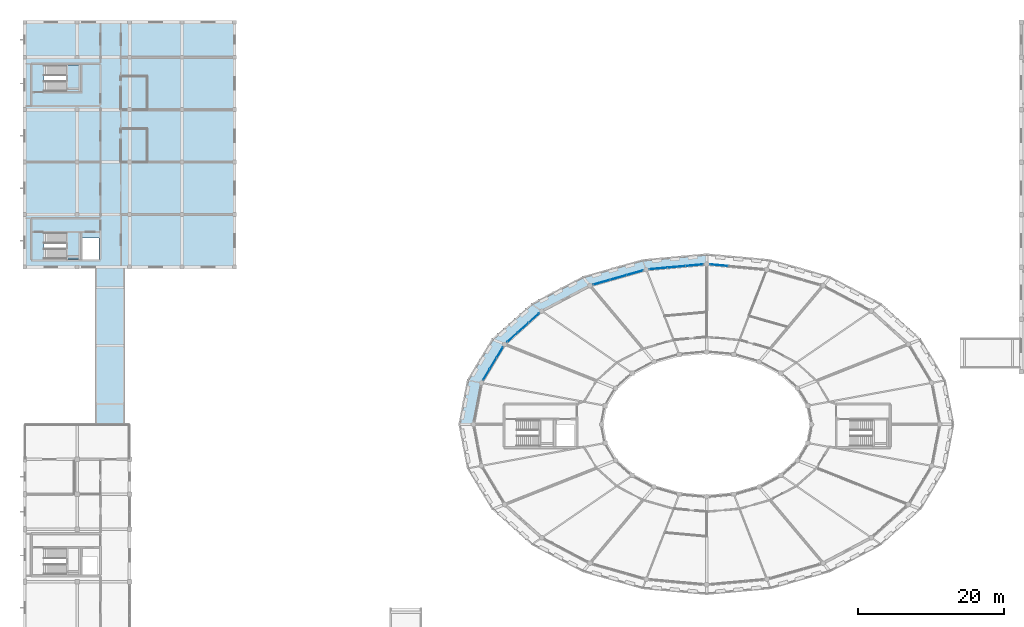
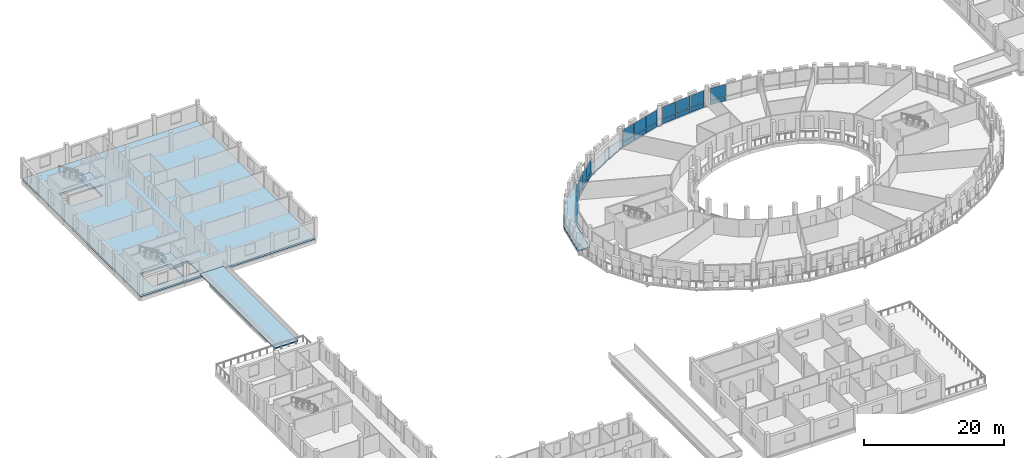
# One storey, part 66 of 93: 26 plates, 5 slabs, 7 elements without a shape of their own.
"""IFC4 building model written with IfcOpenShell, lengths in metres."""

from ifc_helpers import new_model, si_unit, direction, frame, origin, origin_2d, place, context, subcontext, project, spatial, polyline, rectangle, outline, extrude, material, layer, layer_set, type_object, element, aggregate, save


model = new_model("IFC4")

# Units and contexts
model_context = context("Model", 3, precision=1e-05, world=origin(), true_north=direction((0.0, 1.0)))
body_context = subcontext(model_context, "Body", "Model", "MODEL_VIEW")
ifc_project = project(units=[si_unit("LENGTHUNIT", "METRE"), si_unit("AREAUNIT", "SQUARE_METRE"), si_unit("VOLUMEUNIT", "CUBIC_METRE"), si_unit("PLANEANGLEUNIT", "RADIAN"), si_unit("MASSUNIT", "GRAM", prefix="KILO")], contexts=[model_context])

# Site, building, storey
site_placement = place(None, origin())
site = spatial("IfcSite", under=ifc_project, at=site_placement, CompositionType="ELEMENT")
building_placement = place(site_placement, origin())
building = spatial("IfcBuilding", under=site, at=building_placement, Name="Zornivar Specialist Clinic", CompositionType="ELEMENT")
storey_placement = place(building_placement, frame((0.0, 0.0, 8.39990234375)))
storey = spatial("IfcBuildingStorey", under=building, at=storey_placement, Name="L02", CompositionType="ELEMENT", Elevation=8.39990234375)

# Curtain wall, plates
ifc_material_1 = material(Name="Aluminium and Low-E Glass Curtain Wall", Category="aluminium")
curtain_wall_type = type_object("IfcCurtainWallType", Name="CW-DRUM-FACET", PredefinedType="NOTDEFINED", material=ifc_material_1)
curtain_wall_1_placement = place(storey_placement, origin())
curtain_wall_1 = element("IfcCurtainWall", 1, at=curtain_wall_1_placement, inside=storey, type_object=curtain_wall_type, Name="cw:V1:L02:c10", PredefinedType="NOTDEFINED")
ifc_material_2 = material(Name="Insulated Bronze Spandrel Panel")
ifc_layer_1 = layer(ifc_material_2, 0.048095703125)
ifc_layer_set_1 = layer_set([ifc_layer_1], Name="Insulated Bronze Spandrel Panel")
plate_type_1 = type_object("IfcPlateType", Name="CWP-SPN-A", PredefinedType="CURTAIN_PANEL", material=ifc_layer_set_1)
plate_1_placement = place(storey_placement, frame((65.18896484375, 67.44091796875, 0.02978515625), z_axis=(0.0, 0.0, 1.0), x_axis=(-0.516127401954, -0.856511824175, 0.0)))
plate_1 = element("IfcPlate", 2, at=plate_1_placement, type_object=plate_type_1, Name="cw:V1:L02:c10:spn:0", PredefinedType="CURTAIN_PANEL", context=body_context, shape_type="SweptSolid", body=[
    extrude(rectangle(XDim=1.675048828125, YDim=0.048095703125, at=origin_2d()), origin(), (0.0, 0.0, 1.0), 0.722900390625),
])
plate_2_placement = place(storey_placement, frame((64.2890625, 65.947021484375, 0.02978515625), z_axis=(0.0, 0.0, 1.0), x_axis=(-0.516127401954, -0.856511824175, 0.0)))
plate_2 = element("IfcPlate", 3, at=plate_2_placement, type_object=plate_type_1, Name="cw:V1:L02:c10:spn:1", PredefinedType="CURTAIN_PANEL", context=body_context, shape_type="SweptSolid", body=[
    extrude(rectangle(XDim=1.675048828125, YDim=0.048095703125, at=origin_2d()), origin(), (0.0, 0.0, 1.0), 0.722900390625),
])
plate_3_placement = place(storey_placement, frame((63.387939453125, 64.451904296875, 0.02978515625), z_axis=(0.0, 0.0, 1.0), x_axis=(-0.516127401954, -0.856511824175, 0.0)))
plate_3 = element("IfcPlate", 4, at=plate_3_placement, type_object=plate_type_1, Name="cw:V1:L02:c10:spn:2", PredefinedType="CURTAIN_PANEL", context=body_context, shape_type="SweptSolid", body=[
    extrude(rectangle(XDim=1.675048828125, YDim=0.048095703125, at=origin_2d()), origin(), (0.0, 0.0, 1.0), 0.722900390625),
])

# Curtain wall, plate
curtain_wall_2_placement = place(storey_placement, origin())
curtain_wall_2 = element("IfcCurtainWall", 5, at=curtain_wall_2_placement, inside=storey, type_object=curtain_wall_type, Name="cw:V1:L02:c05", PredefinedType="NOTDEFINED")
ifc_material_3 = material(Name="Insulated Bronze Spandrel Panel")
ifc_layer_2 = layer(ifc_material_3, 0.048095703125)
ifc_layer_set_2 = layer_set([ifc_layer_2], Name="Insulated Bronze Spandrel Panel")
plate_type_2 = type_object("IfcPlateType", Name="CWP-SPN-B", PredefinedType="CURTAIN_PANEL", material=ifc_layer_set_2)
plate_4_placement = place(storey_placement, frame((95.299072265625, 79.446044921875, 0.02978515625), z_axis=(0.0, 0.0, 1.0), x_axis=(-0.995932792393, 0.09009923993, 0.0)))
plate_4 = element("IfcPlate", 6, at=plate_4_placement, type_object=plate_type_2, Name="cw:V1:L02:c05:spn:2", PredefinedType="CURTAIN_PANEL", context=body_context, shape_type="SweptSolid", body=[
    extrude(rectangle(XDim=2.382080078125, YDim=0.048095703125, at=origin_2d()), origin(), (0.0, 0.0, 1.0), 0.722900390625),
])

# Curtain wall, plates
curtain_wall_3_placement = place(storey_placement, origin())
curtain_wall_3 = element("IfcCurtainWall", 7, at=curtain_wall_3_placement, inside=storey, type_object=curtain_wall_type, Name="cw:V1:L02:c06", PredefinedType="NOTDEFINED")
ifc_material_4 = material(Name="Insulated Bronze Spandrel Panel")
ifc_layer_3 = layer(ifc_material_4, 0.048095703125)
ifc_layer_set_3 = layer_set([ifc_layer_3], Name="Insulated Bronze Spandrel Panel")
plate_type_3 = type_object("IfcPlateType", Name="CWP-SPN-C", PredefinedType="CURTAIN_PANEL", material=ifc_layer_set_3)
plate_5_placement = place(storey_placement, frame((91.90087890625, 79.446044921875, 0.02978515625), z_axis=(0.0, 0.0, 1.0), x_axis=(-0.995932792393, -0.09009923993, 0.0)))
plate_5 = element("IfcPlate", 8, at=plate_5_placement, type_object=plate_type_3, Name="cw:V1:L02:c06:spn:0", PredefinedType="CURTAIN_PANEL", context=body_context, shape_type="SweptSolid", body=[
    extrude(rectangle(XDim=2.382080078125, YDim=0.048095703125, at=origin_2d()), origin(), (0.0, 0.0, 1.0), 0.722900390625),
])
plate_6_placement = place(storey_placement, frame((89.458984375, 79.22509765625, 0.02978515625), z_axis=(0.0, 0.0, 1.0), x_axis=(-0.995932792393, -0.09009923993, 0.0)))
plate_6 = element("IfcPlate", 9, at=plate_6_placement, type_object=plate_type_3, Name="cw:V1:L02:c06:spn:1", PredefinedType="CURTAIN_PANEL", context=body_context, shape_type="SweptSolid", body=[
    extrude(rectangle(XDim=2.382080078125, YDim=0.048095703125, at=origin_2d()), origin(), (0.0, 0.0, 1.0), 0.722900390625),
])
plate_7_placement = place(storey_placement, frame((87.01708984375, 79.00390625, 0.02978515625), z_axis=(0.0, 0.0, 1.0), x_axis=(-0.995932792393, -0.09009923993, 0.0)))
plate_7 = element("IfcPlate", 10, at=plate_7_placement, type_object=plate_type_3, Name="cw:V1:L02:c06:spn:2", PredefinedType="CURTAIN_PANEL", context=body_context, shape_type="SweptSolid", body=[
    extrude(rectangle(XDim=2.382080078125, YDim=0.048095703125, at=origin_2d()), origin(), (0.0, 0.0, 1.0), 0.722900390625),
])

curtain_wall_4_placement = place(storey_placement, origin())
curtain_wall_4 = element("IfcCurtainWall", 11, at=curtain_wall_4_placement, inside=storey, type_object=curtain_wall_type, Name="cw:V1:L02:c07", PredefinedType="NOTDEFINED")
ifc_material_5 = material(Name="Insulated Limestone-Faced Spandrel Panel", Category="masonry")
ifc_layer_4 = layer(ifc_material_5, 0.05810546875)
ifc_layer_set_4 = layer_set([ifc_layer_4], Name="Insulated Limestone-Faced Spandrel Panel")
plate_type_4 = type_object("IfcPlateType", Name="CWP-SPN-D", PredefinedType="CURTAIN_PANEL", material=ifc_layer_set_4)
plate_8_placement = place(storey_placement, frame((83.72412109375, 78.39697265625, 0.02978515625), z_axis=(0.0, 0.0, 1.0), x_axis=(-0.961761244933, -0.273889225319, 0.0)))
plate_8 = element("IfcPlate", 12, at=plate_8_placement, type_object=plate_type_4, Name="cw:V1:L02:c07:spn:0", PredefinedType="CURTAIN_PANEL", context=body_context, shape_type="SweptSolid", body=[
    extrude(rectangle(XDim=2.284912109375, YDim=0.05810546875, at=origin_2d()), origin(), (0.0, 0.0, 1.0), 0.722900390625),
])
plate_9_placement = place(storey_placement, frame((81.458984375, 77.751953125, 0.02978515625), z_axis=(0.0, 0.0, 1.0), x_axis=(-0.961761244933, -0.273889225319, 0.0)))
plate_9 = element("IfcPlate", 13, at=plate_9_placement, type_object=plate_type_4, Name="cw:V1:L02:c07:spn:1", PredefinedType="CURTAIN_PANEL", context=body_context, shape_type="SweptSolid", body=[
    extrude(rectangle(XDim=2.284912109375, YDim=0.05810546875, at=origin_2d()), origin(), (0.0, 0.0, 1.0), 0.722900390625),
])
plate_10_placement = place(storey_placement, frame((79.194091796875, 77.10693359375, 0.02978515625), z_axis=(0.0, 0.0, 1.0), x_axis=(-0.961761244933, -0.273889225319, 0.0)))
plate_10 = element("IfcPlate", 14, at=plate_10_placement, type_object=plate_type_4, Name="cw:V1:L02:c07:spn:2", PredefinedType="CURTAIN_PANEL", context=body_context, shape_type="SweptSolid", body=[
    extrude(rectangle(XDim=2.284912109375, YDim=0.05810546875, at=origin_2d()), origin(), (0.0, 0.0, 1.0), 0.722900390625),
])

curtain_wall_5_placement = place(storey_placement, origin())
curtain_wall_5 = element("IfcCurtainWall", 15, at=curtain_wall_5_placement, inside=storey, type_object=curtain_wall_type, Name="cw:V1:L02:c09", PredefinedType="NOTDEFINED")
ifc_material_6 = material(Name="Insulated Terracotta Spandrel Panel", Category="masonry")
ifc_layer_5 = layer(ifc_material_6, 0.05810546875)
ifc_layer_set_5 = layer_set([ifc_layer_5], Name="Insulated Terracotta Spandrel Panel")
plate_type_5 = type_object("IfcPlateType", Name="CWP-SPN-F", PredefinedType="CURTAIN_PANEL", material=ifc_layer_set_5)
plate_11_placement = place(storey_placement, frame((69.886962890625, 72.18310546875, 0.02978515625), z_axis=(0.0, 0.0, 1.0), x_axis=(-0.744880599036, -0.667197791648, 0.0)))
plate_11 = element("IfcPlate", 16, at=plate_11_placement, type_object=plate_type_5, Name="cw:V1:L02:c09:spn:0", PredefinedType="CURTAIN_PANEL", context=body_context, shape_type="SweptSolid", body=[
    extrude(rectangle(XDim=1.885986328125, YDim=0.05810546875, at=origin_2d()), origin(), (0.0, 0.0, 1.0), 0.722900390625),
])
plate_12_placement = place(storey_placement, frame((68.429931640625, 70.8779296875, 0.02978515625), z_axis=(0.0, 0.0, 1.0), x_axis=(-0.744880599036, -0.667197791648, 0.0)))
plate_12 = element("IfcPlate", 17, at=plate_12_placement, type_object=plate_type_5, Name="cw:V1:L02:c09:spn:1", PredefinedType="CURTAIN_PANEL", context=body_context, shape_type="SweptSolid", body=[
    extrude(rectangle(XDim=1.885986328125, YDim=0.05810546875, at=origin_2d()), origin(), (0.0, 0.0, 1.0), 0.722900390625),
])
plate_13_placement = place(storey_placement, frame((66.972900390625, 69.572998046875, 0.02978515625), z_axis=(0.0, 0.0, 1.0), x_axis=(-0.744880599036, -0.667197791648, 0.0)))
plate_13 = element("IfcPlate", 18, at=plate_13_placement, type_object=plate_type_5, Name="cw:V1:L02:c09:spn:2", PredefinedType="CURTAIN_PANEL", context=body_context, shape_type="SweptSolid", body=[
    extrude(rectangle(XDim=1.885009765625, YDim=0.05810546875, at=origin_2d()), origin(), (0.0, 0.0, 1.0), 0.722900390625),
])
ifc_material_7 = material(Name="Triple Low-E Vision Glass", Category="glass")
ifc_layer_6 = layer(ifc_material_7, 0.035888671875)
ifc_layer_set_6 = layer_set([ifc_layer_6], Name="Triple Low-E Vision Glass")
plate_type_6 = type_object("IfcPlateType", Name="CWP-VIS-B", PredefinedType="CURTAIN_PANEL", material=ifc_layer_set_6)
plate_14_placement = place(storey_placement, frame((69.886962890625, 72.18310546875, 0.81787109375), z_axis=(0.0, 0.0, 1.0), x_axis=(-0.744880599036, -0.667197791648, 0.0)))
plate_14 = element("IfcPlate", 19, at=plate_14_placement, type_object=plate_type_6, Name="cw:V1:L02:c09:vis:0", PredefinedType="CURTAIN_PANEL", context=body_context, shape_type="SweptSolid", body=[
    extrude(rectangle(XDim=1.885986328125, YDim=0.035888671875, at=origin_2d()), origin(), (0.0, 0.0, 1.0), 2.092041015625),
])
plate_15_placement = place(storey_placement, frame((68.429931640625, 70.8779296875, 0.81787109375), z_axis=(0.0, 0.0, 1.0), x_axis=(-0.744880599036, -0.667197791648, 0.0)))
plate_15 = element("IfcPlate", 20, at=plate_15_placement, type_object=plate_type_6, Name="cw:V1:L02:c09:vis:1", PredefinedType="CURTAIN_PANEL", context=body_context, shape_type="SweptSolid", body=[
    extrude(rectangle(XDim=1.885986328125, YDim=0.035888671875, at=origin_2d()), origin(), (0.0, 0.0, 1.0), 2.092041015625),
])
plate_16_placement = place(storey_placement, frame((66.972900390625, 69.572998046875, 0.81787109375), z_axis=(0.0, 0.0, 1.0), x_axis=(-0.744880599036, -0.667197791648, 0.0)))
plate_16 = element("IfcPlate", 21, at=plate_16_placement, type_object=plate_type_6, Name="cw:V1:L02:c09:vis:2", PredefinedType="CURTAIN_PANEL", context=body_context, shape_type="SweptSolid", body=[
    extrude(rectangle(XDim=1.885009765625, YDim=0.035888671875, at=origin_2d()), origin(), (0.0, 0.0, 1.0), 2.092041015625),
])
aggregate(curtain_wall_5, [plate_11, plate_14, plate_12, plate_15, plate_13, plate_16])

# Plate
ifc_material_8 = material(Name="Triple Low-E Vision Glass", Category="glass")
ifc_layer_7 = layer(ifc_material_8, 0.035888671875)
ifc_layer_set_7 = layer_set([ifc_layer_7], Name="Triple Low-E Vision Glass")
plate_type_7 = type_object("IfcPlateType", Name="CWP-VIS-C", PredefinedType="CURTAIN_PANEL", material=ifc_layer_set_7)
plate_17_placement = place(storey_placement, frame((65.18896484375, 67.44091796875, 0.81787109375), z_axis=(0.0, 0.0, 1.0), x_axis=(-0.516127401954, -0.856511824175, 0.0)))
plate_17 = element("IfcPlate", 22, at=plate_17_placement, type_object=plate_type_7, Name="cw:V1:L02:c10:vis:0", PredefinedType="CURTAIN_PANEL", context=body_context, shape_type="SweptSolid", body=[
    extrude(rectangle(XDim=1.675048828125, YDim=0.035888671875, at=origin_2d()), origin(), (0.0, 0.0, 1.0), 2.092041015625),
])

plate_18_placement = place(storey_placement, frame((64.2890625, 65.947021484375, 0.81787109375), z_axis=(0.0, 0.0, 1.0), x_axis=(-0.516127401954, -0.856511824175, 0.0)))
plate_18 = element("IfcPlate", 23, at=plate_18_placement, type_object=plate_type_7, Name="cw:V1:L02:c10:vis:1", PredefinedType="CURTAIN_PANEL", context=body_context, shape_type="SweptSolid", body=[
    extrude(rectangle(XDim=1.675048828125, YDim=0.035888671875, at=origin_2d()), origin(), (0.0, 0.0, 1.0), 2.092041015625),
])

plate_19_placement = place(storey_placement, frame((63.387939453125, 64.451904296875, 0.81787109375), z_axis=(0.0, 0.0, 1.0), x_axis=(-0.516127401954, -0.856511824175, 0.0)))
plate_19 = element("IfcPlate", 24, at=plate_19_placement, type_object=plate_type_7, Name="cw:V1:L02:c10:vis:2", PredefinedType="CURTAIN_PANEL", context=body_context, shape_type="SweptSolid", body=[
    extrude(rectangle(XDim=1.675048828125, YDim=0.035888671875, at=origin_2d()), origin(), (0.0, 0.0, 1.0), 2.092041015625),
])

aggregate(curtain_wall_1, [plate_1, plate_17, plate_2, plate_18, plate_3, plate_19])

ifc_material_9 = material(Name="Triple Low-E Vision Glass", Category="glass")
ifc_layer_8 = layer(ifc_material_9, 0.033935546875)
ifc_layer_set_8 = layer_set([ifc_layer_8], Name="Triple Low-E Vision Glass")
plate_type_8 = type_object("IfcPlateType", Name="CWP-VIS-H", PredefinedType="CURTAIN_PANEL", material=ifc_layer_set_8)
plate_20_placement = place(storey_placement, frame((95.299072265625, 79.446044921875, 0.81787109375), z_axis=(0.0, 0.0, 1.0), x_axis=(-0.995932792393, 0.09009923993, 0.0)))
plate_20 = element("IfcPlate", 25, at=plate_20_placement, type_object=plate_type_8, Name="cw:V1:L02:c05:vis:2", PredefinedType="CURTAIN_PANEL", context=body_context, shape_type="SweptSolid", body=[
    extrude(rectangle(XDim=2.382080078125, YDim=0.033935546875, at=origin_2d()), origin(), (0.0, 0.0, 1.0), 2.092041015625),
])

aggregate(curtain_wall_2, [plate_4, plate_20])

ifc_material_10 = material(Name="Triple Low-E Vision Glass", Category="glass")
ifc_layer_9 = layer(ifc_material_10, 0.033935546875)
ifc_layer_set_9 = layer_set([ifc_layer_9], Name="Triple Low-E Vision Glass")
plate_type_9 = type_object("IfcPlateType", Name="CWP-VIS-J", PredefinedType="CURTAIN_PANEL", material=ifc_layer_set_9)
plate_21_placement = place(storey_placement, frame((91.90087890625, 79.446044921875, 0.81787109375), z_axis=(0.0, 0.0, 1.0), x_axis=(-0.995932792393, -0.09009923993, 0.0)))
plate_21 = element("IfcPlate", 26, at=plate_21_placement, type_object=plate_type_9, Name="cw:V1:L02:c06:vis:0", PredefinedType="CURTAIN_PANEL", context=body_context, shape_type="SweptSolid", body=[
    extrude(rectangle(XDim=2.382080078125, YDim=0.033935546875, at=origin_2d()), origin(), (0.0, 0.0, 1.0), 2.092041015625),
])

plate_22_placement = place(storey_placement, frame((89.458984375, 79.22509765625, 0.81787109375), z_axis=(0.0, 0.0, 1.0), x_axis=(-0.995932792393, -0.09009923993, 0.0)))
plate_22 = element("IfcPlate", 27, at=plate_22_placement, type_object=plate_type_9, Name="cw:V1:L02:c06:vis:1", PredefinedType="CURTAIN_PANEL", context=body_context, shape_type="SweptSolid", body=[
    extrude(rectangle(XDim=2.382080078125, YDim=0.033935546875, at=origin_2d()), origin(), (0.0, 0.0, 1.0), 2.092041015625),
])

plate_23_placement = place(storey_placement, frame((87.01708984375, 79.00390625, 0.81787109375), z_axis=(0.0, 0.0, 1.0), x_axis=(-0.995932792393, -0.09009923993, 0.0)))
plate_23 = element("IfcPlate", 28, at=plate_23_placement, type_object=plate_type_9, Name="cw:V1:L02:c06:vis:2", PredefinedType="CURTAIN_PANEL", context=body_context, shape_type="SweptSolid", body=[
    extrude(rectangle(XDim=2.382080078125, YDim=0.033935546875, at=origin_2d()), origin(), (0.0, 0.0, 1.0), 2.092041015625),
])

aggregate(curtain_wall_3, [plate_5, plate_21, plate_6, plate_22, plate_7, plate_23])

ifc_material_11 = material(Name="Solar-Control Wintergarden Glass", Category="glass")
ifc_layer_10 = layer(ifc_material_11, 0.0380859375)
ifc_layer_set_10 = layer_set([ifc_layer_10], Name="Solar-Control Wintergarden Glass")
plate_type_10 = type_object("IfcPlateType", Name="CWP-VIS-L", PredefinedType="CURTAIN_PANEL", material=ifc_layer_set_10)
plate_24_placement = place(storey_placement, frame((83.72412109375, 78.39697265625, 0.81787109375), z_axis=(0.0, 0.0, 1.0), x_axis=(-0.961761244933, -0.273889225319, 0.0)))
plate_24 = element("IfcPlate", 29, at=plate_24_placement, type_object=plate_type_10, Name="cw:V1:L02:c07:vis:0", PredefinedType="CURTAIN_PANEL", context=body_context, shape_type="SweptSolid", body=[
    extrude(rectangle(XDim=2.284912109375, YDim=0.0380859375, at=origin_2d()), origin(), (0.0, 0.0, 1.0), 2.092041015625),
])

plate_25_placement = place(storey_placement, frame((81.458984375, 77.751953125, 0.81787109375), z_axis=(0.0, 0.0, 1.0), x_axis=(-0.961761244933, -0.273889225319, 0.0)))
plate_25 = element("IfcPlate", 30, at=plate_25_placement, type_object=plate_type_10, Name="cw:V1:L02:c07:vis:1", PredefinedType="CURTAIN_PANEL", context=body_context, shape_type="SweptSolid", body=[
    extrude(rectangle(XDim=2.284912109375, YDim=0.0380859375, at=origin_2d()), origin(), (0.0, 0.0, 1.0), 2.092041015625),
])

plate_26_placement = place(storey_placement, frame((79.194091796875, 77.10693359375, 0.81787109375), z_axis=(0.0, 0.0, 1.0), x_axis=(-0.961761244933, -0.273889225319, 0.0)))
plate_26 = element("IfcPlate", 31, at=plate_26_placement, type_object=plate_type_10, Name="cw:V1:L02:c07:vis:2", PredefinedType="CURTAIN_PANEL", context=body_context, shape_type="SweptSolid", body=[
    extrude(rectangle(XDim=2.284912109375, YDim=0.0380859375, at=origin_2d()), origin(), (0.0, 0.0, 1.0), 2.092041015625),
])

aggregate(curtain_wall_4, [plate_8, plate_24, plate_9, plate_25, plate_10, plate_26])

# Slabs
ifc_material_12 = material(Name="Concrete C30/37", Category="concrete")
ifc_layer_11 = layer(ifc_material_12, 0.239990234375)
ifc_layer_set_11 = layer_set([ifc_layer_11], Name="Concrete C30/37")
slab_type_1 = type_object("IfcSlabType", Name="SLB-EXT-BALC-240", PredefinedType="FLOOR", material=ifc_layer_set_11)
slab_1_placement = place(storey_placement, frame((0.0, 0.0, -0.239990234375)))
element("IfcSlab", 32, at=slab_1_placement, inside=storey, type_object=slab_type_1, Name="slab:V1:L02:balc:q1", PredefinedType="FLOOR", context=body_context, shape_type="SweptSolid", body=[
    extrude(outline(polyline([(93.60009765625, 79.60009765625), (85.318115234375, 78.85009765625), (77.60009765625, 76.653076171875), (70.972900390625, 73.156005859375), (65.886962890625, 68.60009765625), (62.68994140625, 63.2939453125), (61.60009765625, 57.60009765625), (59.679931640625, 57.60009765625), (60.8359375, 63.635986328125), (64.22412109375, 69.260009765625), (69.614990234375, 74.090087890625), (76.639892578125, 77.7958984375), (84.821044921875, 80.125), (93.60009765625, 80.919921875), (93.60009765625, 79.60009765625)])), origin(), (0.0, 0.0, 1.0), 0.239990234375),
])
ifc_material_13 = material(Name="Concrete C30/37", Category="concrete")
ifc_layer_12 = layer(ifc_material_13, 0.31005859375)
ifc_layer_set_12 = layer_set([ifc_layer_12], Name="Concrete C30/37")
slab_type_2 = type_object("IfcSlabType", Name="SLB-FLR-PROC-310", PredefinedType="FLOOR", material=ifc_layer_set_12)
slab_2_placement = place(storey_placement, frame((0.0, 0.0, -0.309814453125)))
element("IfcSlab", 33, at=slab_2_placement, inside=storey, type_object=slab_type_2, Name="slab:V5:L02:main", PredefinedType="FLOOR", context=body_context, shape_type="SweptSolid", body=[
    extrude(outline(polyline([(0.0, 79.199951171875), (28.800048828125, 79.199951171875), (28.800048828125, 112.800048828125), (0.0, 112.800048828125), (0.0, 79.199951171875)]), holes=[polyline([(2.6201171875, 80.300048828125), (7.699951171875, 80.300048828125), (7.699951171875, 83.89990234375), (2.6201171875, 83.89990234375), (2.6201171875, 80.300048828125)]), polyline([(7.800048828125, 80.199951171875), (10.199951171875, 80.199951171875), (10.199951171875, 83.199951171875), (7.800048828125, 83.199951171875), (7.800048828125, 80.199951171875)]), polyline([(2.6201171875, 103.300048828125), (7.699951171875, 103.300048828125), (7.699951171875, 106.89990234375), (2.6201171875, 106.89990234375), (2.6201171875, 103.300048828125)])]), origin(), (0.0, 0.0, 1.0), 0.309814453125),
])

# Stair, slab
ifc_material_14 = material(Name="Concrete C30/37", Category="concrete")
stair_type = type_object("IfcStairType", Name="STR-CORE-TYP-3900", PredefinedType="HALF_TURN_STAIR", material=ifc_material_14)
stair_1_placement = place(storey_placement, origin())
stair_1 = element("IfcStair", 34, at=stair_1_placement, inside=storey, type_object=stair_type, Name="stair:C7:L02", PredefinedType="HALF_TURN_STAIR")
ifc_material_15 = material(Name="Concrete C30/37", Category="concrete")
ifc_layer_13 = layer(ifc_material_15, 0.179931640625)
ifc_layer_set_13 = layer_set([ifc_layer_13], Name="Concrete C30/37")
slab_type_3 = type_object("IfcSlabType", Name="SLB-LANDING-180", PredefinedType="LANDING", material=ifc_layer_set_13)
slab_3_placement = place(storey_placement, frame((0.0, 0.0, 1.77001953125)))
slab_3 = element("IfcSlab", 35, at=slab_3_placement, type_object=slab_type_3, Name="stair:C7:L02:land", PredefinedType="LANDING", context=body_context, shape_type="SweptSolid", body=[
    extrude(outline(polyline([(5.659912109375, 80.280029296875), (7.719970703125, 80.280029296875), (7.719970703125, 83.919921875), (5.659912109375, 83.919921875), (5.659912109375, 80.280029296875)])), origin(), (0.0, 0.0, 1.0), 0.18017578125),
])
aggregate(stair_1, [slab_3])

stair_2_placement = place(storey_placement, origin())
stair_2 = element("IfcStair", 36, at=stair_2_placement, inside=storey, type_object=stair_type, Name="stair:C8:L02", PredefinedType="HALF_TURN_STAIR")
slab_4_placement = place(storey_placement, frame((0.0, 0.0, 1.77001953125)))
slab_4 = element("IfcSlab", 37, at=slab_4_placement, type_object=slab_type_3, Name="stair:C8:L02:land", PredefinedType="LANDING", context=body_context, shape_type="SweptSolid", body=[
    extrude(outline(polyline([(5.659912109375, 103.280029296875), (7.719970703125, 103.280029296875), (7.719970703125, 106.919921875), (5.659912109375, 106.919921875), (5.659912109375, 103.280029296875)])), origin(), (0.0, 0.0, 1.0), 0.18017578125),
])
aggregate(stair_2, [slab_4])

# Slab
ifc_material_16 = material(Name="Concrete C30/37", Category="concrete")
ifc_layer_14 = layer(ifc_material_16, 0.219970703125)
ifc_layer_set_14 = layer_set([ifc_layer_14], Name="Concrete C30/37")
slab_type_4 = type_object("IfcSlabType", Name="SLB-ROOF-FLAT-220", PredefinedType="ROOF", material=ifc_layer_set_14)
slab_5_placement = place(storey_placement, frame((0.0, 0.0, 0.18017578125)))
element("IfcSlab", 38, at=slab_5_placement, inside=storey, type_object=slab_type_4, Name="slab:BR2:L02:roof", PredefinedType="ROOF", context=body_context, shape_type="SweptSolid", body=[
    extrude(outline(polyline([(9.800048828125, 57.719970703125), (13.60009765625, 57.719970703125), (13.60009765625, 79.080078125), (9.800048828125, 79.080078125), (9.800048828125, 57.719970703125)])), origin(), (0.0, 0.0, 1.0), 0.219970703125),
])

save(model, "model.ifc")
